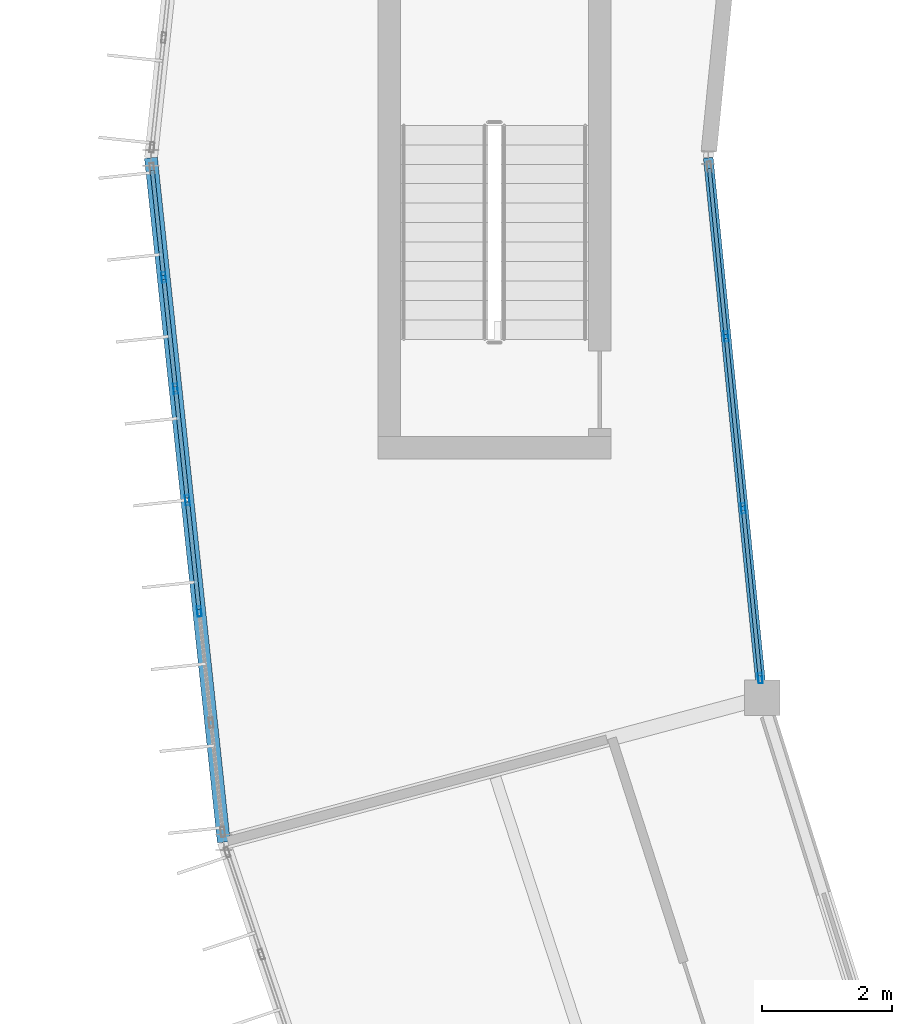
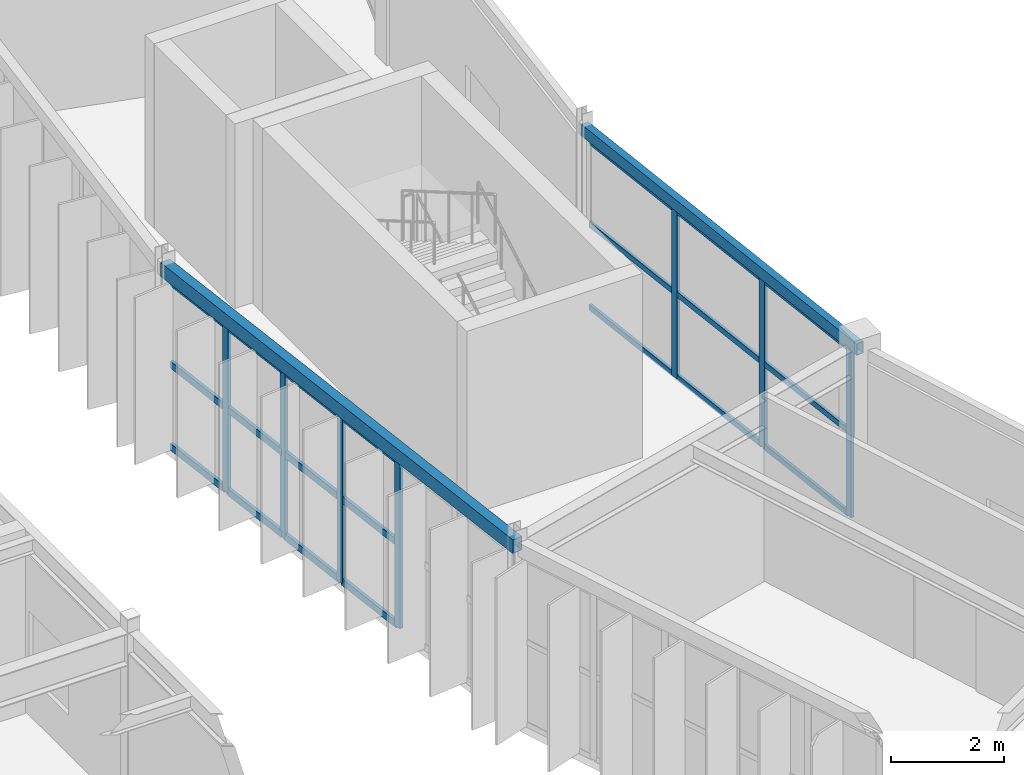
# One storey, part 38 of 130: 28 members, 2 beams, 2 elements without a shape of their own.
"""IFC4 building model written with IfcOpenShell, lengths in metres."""

from ifc_helpers import new_model, si_unit, direction, frame, origin, origin_2d, place, context, subcontext, project, spatial, hollow_rectangle, extrude, material, material_profile, profile_set, type_object, element, aggregate, save


model = new_model("IFC4")

# Units and contexts
model_context = context("Model", 3, precision=1e-05, world=origin(), true_north=direction((0.0, 1.0)))
body_context = subcontext(model_context, "Body", "Model", "MODEL_VIEW")
ifc_project = project(units=[si_unit("LENGTHUNIT", "METRE"), si_unit("AREAUNIT", "SQUARE_METRE"), si_unit("VOLUMEUNIT", "CUBIC_METRE"), si_unit("PLANEANGLEUNIT", "RADIAN"), si_unit("MASSUNIT", "GRAM", prefix="KILO")], contexts=[model_context])

# Site, building, storey
site_placement = place(None, origin())
site = spatial("IfcSite", under=ifc_project, at=site_placement, CompositionType="ELEMENT")
building_placement = place(site_placement, origin())
building = spatial("IfcBuilding", under=site, at=building_placement, Name="Karori Crest Natural Sciences Institute", CompositionType="ELEMENT")
storey_placement = place(building_placement, frame((0.0, 0.0, 17.5)))
storey = spatial("IfcBuildingStorey", under=building, at=storey_placement, Name="L04", CompositionType="ELEMENT", Elevation=17.5)

# Beams
ifc_material_1 = material(Name="Hollow structural steel AS/NZS 1163 Grade C350", Category="steel")
ifc_material_profile_1 = material_profile(ifc_material_1, hollow_rectangle(XDim=0.199951171875, YDim=0.300048828125, WallThickness=0.010009765625, at=origin_2d()), Name="RHS300x200x10")
ifc_profile_set_1 = profile_set([ifc_material_profile_1], Name="Hollow structural steel AS/NZS 1163 Grade C350")
beam_type_1 = type_object("IfcBeamType", Name="BT-15", PredefinedType="SPANDREL", material=ifc_profile_set_1)
beam_1_placement = place(storey_placement, frame((33.39990234375, 49.89990234375, 3.7900390625), z_axis=(0.105891010563, -0.994377742049, 0.0), x_axis=(0.994377742049, 0.105891010563, 0.0)))
element("IfcBeam", 1, at=beam_1_placement, inside=storey, type_object=beam_type_1, Name="Beam B-0496", PredefinedType="SPANDREL", context=body_context, shape_type="SweptSolid", body=[
    extrude(hollow_rectangle(XDim=0.199951171875, YDim=0.300048828125, WallThickness=0.010009765625, at=origin_2d()), origin(), (0.0, 0.0, 1.0), 10.61962890625),
])
ifc_material_profile_2 = material_profile(ifc_material_1, hollow_rectangle(XDim=0.14990234375, YDim=0.25, WallThickness=0.009033203125, at=origin_2d()), Name="RHS250x150x9")
ifc_profile_set_2 = profile_set([ifc_material_profile_2], Name="Hollow structural steel AS/NZS 1163 Grade C350")
beam_type_2 = type_object("IfcBeamType", Name="BT-16", PredefinedType="SPANDREL", material=ifc_profile_set_2)
beam_2_placement = place(storey_placement, frame((42.0, 49.89990234375, 3.7900390625), z_axis=(0.099255508608, -0.995061979985, 0.0), x_axis=(0.995061979985, 0.099255508608, 0.0)))
element("IfcBeam", 2, at=beam_2_placement, inside=storey, type_object=beam_type_2, Name="Beam B-0497", PredefinedType="SPANDREL", context=body_context, shape_type="SweptSolid", body=[
    extrude(hollow_rectangle(XDim=0.14990234375, YDim=0.25, WallThickness=0.009033203125, at=origin_2d()), origin(), (0.0, 0.0, 1.0), 8.375244140625),
])

# Curtain wall, members
ifc_material_2 = material(Name="Anodised architectural aluminium 6063-T6", Category="aluminium")
curtain_wall_type_1 = type_object("IfcCurtainWallType", Name="CWT-03", PredefinedType="NOTDEFINED", material=ifc_material_2)
curtain_wall_1_placement = place(storey_placement, origin())
curtain_wall_1 = element("IfcCurtainWall", 3, at=curtain_wall_1_placement, inside=storey, type_object=curtain_wall_type_1, Name="Curtain wall CW-0154", PredefinedType="NOTDEFINED")
ifc_material_profile_3 = material_profile(ifc_material_2, hollow_rectangle(XDim=0.06494140625, YDim=0.159912109375, WallThickness=0.00390625, at=origin_2d()), Name="CWM160x65x4")
ifc_profile_set_3 = profile_set([ifc_material_profile_3], Name="Anodised architectural aluminium 6063-T6")
member_type_1 = type_object("IfcMemberType", Name="CWM-01", PredefinedType="MULLION", material=ifc_profile_set_3)
member_1_placement = place(storey_placement, frame((34.145263671875, 42.90087890625, 0.0), z_axis=(0.0, 0.0, 1.0), x_axis=(-0.994378435661, -0.105884496939, 0.0)))
member_1 = element("IfcMember", 4, at=member_1_placement, type_object=member_type_1, Name="CW-0154 mullion 3", PredefinedType="MULLION", context=body_context, shape_type="SweptSolid", body=[
    extrude(hollow_rectangle(XDim=0.06494140625, YDim=0.159912109375, WallThickness=0.00390625, at=origin_2d()), origin(), (0.0, 0.0, 1.0), 3.625),
])
member_2_placement = place(storey_placement, frame((33.96240234375, 44.61865234375, 0.0), z_axis=(0.0, 0.0, 1.0), x_axis=(-0.994378435661, -0.105884496939, 0.0)))
member_2 = element("IfcMember", 5, at=member_2_placement, type_object=member_type_1, Name="CW-0154 mullion 4", PredefinedType="MULLION", context=body_context, shape_type="SweptSolid", body=[
    extrude(hollow_rectangle(XDim=0.06494140625, YDim=0.159912109375, WallThickness=0.00390625, at=origin_2d()), origin(), (0.0, 0.0, 1.0), 3.625),
])
member_3_placement = place(storey_placement, frame((33.779541015625, 46.33642578125, 0.0), z_axis=(0.0, 0.0, 1.0), x_axis=(-0.994378435661, -0.105884496939, 0.0)))
member_3 = element("IfcMember", 6, at=member_3_placement, type_object=member_type_1, Name="CW-0154 mullion 5", PredefinedType="MULLION", context=body_context, shape_type="SweptSolid", body=[
    extrude(hollow_rectangle(XDim=0.06494140625, YDim=0.159912109375, WallThickness=0.00390625, at=origin_2d()), origin(), (0.0, 0.0, 1.0), 3.625),
])
member_4_placement = place(storey_placement, frame((33.596435546875, 48.05419921875, 0.0), z_axis=(0.0, 0.0, 1.0), x_axis=(-0.994378435661, -0.105884496939, 0.0)))
member_4 = element("IfcMember", 7, at=member_4_placement, type_object=member_type_1, Name="CW-0154 mullion 6", PredefinedType="MULLION", context=body_context, shape_type="SweptSolid", body=[
    extrude(hollow_rectangle(XDim=0.06494140625, YDim=0.159912109375, WallThickness=0.00390625, at=origin_2d()), origin(), (0.0, 0.0, 1.0), 3.625),
])

curtain_wall_type_2 = type_object("IfcCurtainWallType", Name="CWT-13", PredefinedType="NOTDEFINED", material=ifc_material_2)
curtain_wall_2_placement = place(storey_placement, origin())
curtain_wall_2 = element("IfcCurtainWall", 8, at=curtain_wall_2_placement, inside=storey, type_object=curtain_wall_type_2, Name="Curtain wall CW-0155", PredefinedType="NOTDEFINED")
member_5_placement = place(storey_placement, frame((42.27490234375, 47.144287109375, 0.0), z_axis=(0.0, 0.0, 1.0), x_axis=(0.995060684604, 0.099268494275, 0.0)))
member_5 = element("IfcMember", 9, at=member_5_placement, type_object=member_type_1, Name="CW-0155 mullion 2", PredefinedType="MULLION", context=body_context, shape_type="SweptSolid", body=[
    extrude(hollow_rectangle(XDim=0.06494140625, YDim=0.159912109375, WallThickness=0.00390625, at=origin_2d()), origin(), (0.0, 0.0, 1.0), 3.64990234375),
])
member_6_placement = place(storey_placement, frame((42.53955078125, 44.49169921875, 0.0), z_axis=(0.0, 0.0, 1.0), x_axis=(0.995060684604, 0.099268494275, 0.0)))
member_6 = element("IfcMember", 10, at=member_6_placement, type_object=member_type_1, Name="CW-0155 mullion 3", PredefinedType="MULLION", context=body_context, shape_type="SweptSolid", body=[
    extrude(hollow_rectangle(XDim=0.06494140625, YDim=0.159912109375, WallThickness=0.00390625, at=origin_2d()), origin(), (0.0, 0.0, 1.0), 3.64990234375),
])
member_7_placement = place(storey_placement, frame((42.801025390625, 41.871337890625, 0.0), z_axis=(0.0, 0.0, 1.0), x_axis=(0.995060684604, 0.099268494275, 0.0)))
member_7 = element("IfcMember", 11, at=member_7_placement, type_object=member_type_1, Name="CW-0155 mullion 4", PredefinedType="MULLION", context=body_context, shape_type="SweptSolid", body=[
    extrude(hollow_rectangle(XDim=0.06494140625, YDim=0.159912109375, WallThickness=0.00390625, at=origin_2d()), origin(), (0.0, 0.0, 1.0), 3.64990234375),
])
ifc_material_profile_4 = material_profile(ifc_material_2, hollow_rectangle(XDim=0.06005859375, YDim=0.1201171875, WallThickness=0.00390625, at=origin_2d()), Name="CWT120x60x4")
ifc_profile_set_4 = profile_set([ifc_material_profile_4], Name="Anodised architectural aluminium 6063-T6")
member_type_2 = type_object("IfcMemberType", Name="CWT-TR1", PredefinedType="USERDEFINED", material=ifc_profile_set_4)
member_8_placement = place(storey_placement, frame((42.016845703125, 49.732421875, 0.030029296875), z_axis=(0.099240189366, -0.99506350793, 0.0), x_axis=(0.99506350793, 0.099240189366, 0.0)))
member_8 = element("IfcMember", 12, at=member_8_placement, type_object=member_type_2, Name="CW-0155 transom 1.1", ObjectType="TRANSOM", PredefinedType="USERDEFINED", context=body_context, shape_type="SweptSolid", body=[
    extrude(hollow_rectangle(XDim=0.06005859375, YDim=0.1201171875, WallThickness=0.00390625, at=origin_2d()), origin(), (0.0, 0.0, 1.0), 2.568359375),
])
member_9_placement = place(storey_placement, frame((42.016845703125, 49.732421875, 1.824951171875), z_axis=(0.099240189366, -0.99506350793, 0.0), x_axis=(0.99506350793, 0.099240189366, 0.0)))
member_9 = element("IfcMember", 13, at=member_9_placement, type_object=member_type_2, Name="CW-0155 transom 1.2", ObjectType="TRANSOM", PredefinedType="USERDEFINED", context=body_context, shape_type="SweptSolid", body=[
    extrude(hollow_rectangle(XDim=0.06005859375, YDim=0.1201171875, WallThickness=0.00390625, at=origin_2d()), origin(), (0.0, 0.0, 1.0), 2.568359375),
])
member_10_placement = place(storey_placement, frame((42.016845703125, 49.732421875, 3.6201171875), z_axis=(0.099240189366, -0.99506350793, 0.0), x_axis=(0.99506350793, 0.099240189366, 0.0)))
member_10 = element("IfcMember", 14, at=member_10_placement, type_object=member_type_2, Name="CW-0155 transom 1.3", ObjectType="TRANSOM", PredefinedType="USERDEFINED", context=body_context, shape_type="SweptSolid", body=[
    extrude(hollow_rectangle(XDim=0.06005859375, YDim=0.1201171875, WallThickness=0.00390625, at=origin_2d()), origin(), (0.0, 0.0, 1.0), 2.568359375),
])
member_11_placement = place(storey_placement, frame((42.278076171875, 47.112060546875, 0.030029296875), z_axis=(0.099308553467, -0.995056687435, 0.0), x_axis=(0.995056687435, 0.099308553467, 0.0)))
member_11 = element("IfcMember", 15, at=member_11_placement, type_object=member_type_2, Name="CW-0155 transom 2.1", ObjectType="TRANSOM", PredefinedType="USERDEFINED", context=body_context, shape_type="SweptSolid", body=[
    extrude(hollow_rectangle(XDim=0.06005859375, YDim=0.1201171875, WallThickness=0.00390625, at=origin_2d()), origin(), (0.0, 0.0, 1.0), 2.60107421875),
])
member_12_placement = place(storey_placement, frame((42.278076171875, 47.112060546875, 1.824951171875), z_axis=(0.099308553467, -0.995056687435, 0.0), x_axis=(0.995056687435, 0.099308553467, 0.0)))
member_12 = element("IfcMember", 16, at=member_12_placement, type_object=member_type_2, Name="CW-0155 transom 2.2", ObjectType="TRANSOM", PredefinedType="USERDEFINED", context=body_context, shape_type="SweptSolid", body=[
    extrude(hollow_rectangle(XDim=0.06005859375, YDim=0.1201171875, WallThickness=0.00390625, at=origin_2d()), origin(), (0.0, 0.0, 1.0), 2.60107421875),
])
member_13_placement = place(storey_placement, frame((42.278076171875, 47.112060546875, 3.6201171875), z_axis=(0.099308553467, -0.995056687435, 0.0), x_axis=(0.995056687435, 0.099308553467, 0.0)))
member_13 = element("IfcMember", 17, at=member_13_placement, type_object=member_type_2, Name="CW-0155 transom 2.3", ObjectType="TRANSOM", PredefinedType="USERDEFINED", context=body_context, shape_type="SweptSolid", body=[
    extrude(hollow_rectangle(XDim=0.06005859375, YDim=0.1201171875, WallThickness=0.00390625, at=origin_2d()), origin(), (0.0, 0.0, 1.0), 2.60107421875),
])
member_14_placement = place(storey_placement, frame((42.542724609375, 44.459228515625, 0.030029296875), z_axis=(0.0993343095, -0.995054116597, 0.0), x_axis=(0.995054116597, 0.0993343095, 0.0)))
member_14 = element("IfcMember", 18, at=member_14_placement, type_object=member_type_2, Name="CW-0155 transom 3.1", ObjectType="TRANSOM", PredefinedType="USERDEFINED", context=body_context, shape_type="SweptSolid", body=[
    extrude(hollow_rectangle(XDim=0.06005859375, YDim=0.1201171875, WallThickness=0.00390625, at=origin_2d()), origin(), (0.0, 0.0, 1.0), 2.568359375),
])
member_15_placement = place(storey_placement, frame((42.542724609375, 44.459228515625, 1.824951171875), z_axis=(0.0993343095, -0.995054116597, 0.0), x_axis=(0.995054116597, 0.0993343095, 0.0)))
member_15 = element("IfcMember", 19, at=member_15_placement, type_object=member_type_2, Name="CW-0155 transom 3.2", ObjectType="TRANSOM", PredefinedType="USERDEFINED", context=body_context, shape_type="SweptSolid", body=[
    extrude(hollow_rectangle(XDim=0.06005859375, YDim=0.1201171875, WallThickness=0.00390625, at=origin_2d()), origin(), (0.0, 0.0, 1.0), 2.568359375),
])
member_16_placement = place(storey_placement, frame((42.542724609375, 44.459228515625, 3.6201171875), z_axis=(0.0993343095, -0.995054116597, 0.0), x_axis=(0.995054116597, 0.0993343095, 0.0)))
member_16 = element("IfcMember", 20, at=member_16_placement, type_object=member_type_2, Name="CW-0155 transom 3.3", ObjectType="TRANSOM", PredefinedType="USERDEFINED", context=body_context, shape_type="SweptSolid", body=[
    extrude(hollow_rectangle(XDim=0.06005859375, YDim=0.1201171875, WallThickness=0.00390625, at=origin_2d()), origin(), (0.0, 0.0, 1.0), 2.568359375),
])
aggregate(curtain_wall_2, [member_5, member_6, member_7, member_8, member_9, member_10, member_11, member_12, member_13, member_14, member_15, member_16])

# Member
ifc_material_profile_5 = material_profile(ifc_material_2, hollow_rectangle(XDim=0.06494140625, YDim=0.14990234375, WallThickness=0.00390625, at=origin_2d()), Name="CWT150x65x4")
ifc_profile_set_5 = profile_set([ifc_material_profile_5], Name="Anodised architectural aluminium 6063-T6")
member_type_3 = type_object("IfcMemberType", Name="CWT-TR2", PredefinedType="USERDEFINED", material=ifc_profile_set_5)
member_17_placement = place(storey_placement, frame((34.141845703125, 42.93310546875, 0.032470703125), z_axis=(-0.105884923842, 0.994378390203, 0.0), x_axis=(-0.994378390203, -0.105884923842, 0.0)))
member_17 = element("IfcMember", 21, at=member_17_placement, type_object=member_type_3, Name="CW-0154 transom 3.1", ObjectType="TRANSOM", PredefinedType="USERDEFINED", context=body_context, shape_type="SweptSolid", body=[
    extrude(hollow_rectangle(XDim=0.06494140625, YDim=0.14990234375, WallThickness=0.00390625, at=origin_2d()), origin(), (0.0, 0.0, 1.0), 1.662353515625),
])

member_18_placement = place(storey_placement, frame((34.141845703125, 42.93310546875, 1.8125), z_axis=(-0.105884923842, 0.994378390203, 0.0), x_axis=(-0.994378390203, -0.105884923842, 0.0)))
member_18 = element("IfcMember", 22, at=member_18_placement, type_object=member_type_3, Name="CW-0154 transom 3.2", ObjectType="TRANSOM", PredefinedType="USERDEFINED", context=body_context, shape_type="SweptSolid", body=[
    extrude(hollow_rectangle(XDim=0.06494140625, YDim=0.14990234375, WallThickness=0.00390625, at=origin_2d()), origin(), (0.0, 0.0, 1.0), 1.662353515625),
])

member_19_placement = place(storey_placement, frame((34.141845703125, 42.93310546875, 3.592529296875), z_axis=(-0.105884923842, 0.994378390203, 0.0), x_axis=(-0.994378390203, -0.105884923842, 0.0)))
member_19 = element("IfcMember", 23, at=member_19_placement, type_object=member_type_3, Name="CW-0154 transom 3.3", ObjectType="TRANSOM", PredefinedType="USERDEFINED", context=body_context, shape_type="SweptSolid", body=[
    extrude(hollow_rectangle(XDim=0.06494140625, YDim=0.14990234375, WallThickness=0.00390625, at=origin_2d()), origin(), (0.0, 0.0, 1.0), 1.662353515625),
])

member_20_placement = place(storey_placement, frame((33.958984375, 44.65087890625, 0.032470703125), z_axis=(-0.105869463411, 0.994380036363, 0.0), x_axis=(-0.994380036363, -0.105869463411, 0.0)))
member_20 = element("IfcMember", 24, at=member_20_placement, type_object=member_type_3, Name="CW-0154 transom 4.1", ObjectType="TRANSOM", PredefinedType="USERDEFINED", context=body_context, shape_type="SweptSolid", body=[
    extrude(hollow_rectangle(XDim=0.06494140625, YDim=0.14990234375, WallThickness=0.00390625, at=origin_2d()), origin(), (0.0, 0.0, 1.0), 1.66259765625),
])

member_21_placement = place(storey_placement, frame((33.958984375, 44.65087890625, 1.8125), z_axis=(-0.105869463411, 0.994380036363, 0.0), x_axis=(-0.994380036363, -0.105869463411, 0.0)))
member_21 = element("IfcMember", 25, at=member_21_placement, type_object=member_type_3, Name="CW-0154 transom 4.2", ObjectType="TRANSOM", PredefinedType="USERDEFINED", context=body_context, shape_type="SweptSolid", body=[
    extrude(hollow_rectangle(XDim=0.06494140625, YDim=0.14990234375, WallThickness=0.00390625, at=origin_2d()), origin(), (0.0, 0.0, 1.0), 1.66259765625),
])

member_22_placement = place(storey_placement, frame((33.958984375, 44.65087890625, 3.592529296875), z_axis=(-0.105869463411, 0.994380036363, 0.0), x_axis=(-0.994380036363, -0.105869463411, 0.0)))
member_22 = element("IfcMember", 26, at=member_22_placement, type_object=member_type_3, Name="CW-0154 transom 4.3", ObjectType="TRANSOM", PredefinedType="USERDEFINED", context=body_context, shape_type="SweptSolid", body=[
    extrude(hollow_rectangle(XDim=0.06494140625, YDim=0.14990234375, WallThickness=0.00390625, at=origin_2d()), origin(), (0.0, 0.0, 1.0), 1.66259765625),
])

member_23_placement = place(storey_placement, frame((33.77587890625, 46.36865234375, 0.032470703125), z_axis=(-0.105869463411, 0.994380036363, 0.0), x_axis=(-0.994380036363, -0.105869463411, 0.0)))
member_23 = element("IfcMember", 27, at=member_23_placement, type_object=member_type_3, Name="CW-0154 transom 5.1", ObjectType="TRANSOM", PredefinedType="USERDEFINED", context=body_context, shape_type="SweptSolid", body=[
    extrude(hollow_rectangle(XDim=0.06494140625, YDim=0.14990234375, WallThickness=0.00390625, at=origin_2d()), origin(), (0.0, 0.0, 1.0), 1.66259765625),
])

member_24_placement = place(storey_placement, frame((33.77587890625, 46.36865234375, 1.8125), z_axis=(-0.105869463411, 0.994380036363, 0.0), x_axis=(-0.994380036363, -0.105869463411, 0.0)))
member_24 = element("IfcMember", 28, at=member_24_placement, type_object=member_type_3, Name="CW-0154 transom 5.2", ObjectType="TRANSOM", PredefinedType="USERDEFINED", context=body_context, shape_type="SweptSolid", body=[
    extrude(hollow_rectangle(XDim=0.06494140625, YDim=0.14990234375, WallThickness=0.00390625, at=origin_2d()), origin(), (0.0, 0.0, 1.0), 1.66259765625),
])

member_25_placement = place(storey_placement, frame((33.77587890625, 46.36865234375, 3.592529296875), z_axis=(-0.105869463411, 0.994380036363, 0.0), x_axis=(-0.994380036363, -0.105869463411, 0.0)))
member_25 = element("IfcMember", 29, at=member_25_placement, type_object=member_type_3, Name="CW-0154 transom 5.3", ObjectType="TRANSOM", PredefinedType="USERDEFINED", context=body_context, shape_type="SweptSolid", body=[
    extrude(hollow_rectangle(XDim=0.06494140625, YDim=0.14990234375, WallThickness=0.00390625, at=origin_2d()), origin(), (0.0, 0.0, 1.0), 1.66259765625),
])

member_26_placement = place(storey_placement, frame((33.593017578125, 48.08642578125, 0.032470703125), z_axis=(-0.105893191658, 0.994377509782, 0.0), x_axis=(-0.994377509782, -0.105893191658, 0.0)))
member_26 = element("IfcMember", 30, at=member_26_placement, type_object=member_type_3, Name="CW-0154 transom 6.1", ObjectType="TRANSOM", PredefinedType="USERDEFINED", context=body_context, shape_type="SweptSolid", body=[
    extrude(hollow_rectangle(XDim=0.06494140625, YDim=0.14990234375, WallThickness=0.00390625, at=origin_2d()), origin(), (0.0, 0.0, 1.0), 1.630126953125),
])

member_27_placement = place(storey_placement, frame((33.593017578125, 48.08642578125, 1.8125), z_axis=(-0.105893191658, 0.994377509782, 0.0), x_axis=(-0.994377509782, -0.105893191658, 0.0)))
member_27 = element("IfcMember", 31, at=member_27_placement, type_object=member_type_3, Name="CW-0154 transom 6.2", ObjectType="TRANSOM", PredefinedType="USERDEFINED", context=body_context, shape_type="SweptSolid", body=[
    extrude(hollow_rectangle(XDim=0.06494140625, YDim=0.14990234375, WallThickness=0.00390625, at=origin_2d()), origin(), (0.0, 0.0, 1.0), 1.630126953125),
])

member_28_placement = place(storey_placement, frame((33.593017578125, 48.08642578125, 3.592529296875), z_axis=(-0.105893191658, 0.994377509782, 0.0), x_axis=(-0.994377509782, -0.105893191658, 0.0)))
member_28 = element("IfcMember", 32, at=member_28_placement, type_object=member_type_3, Name="CW-0154 transom 6.3", ObjectType="TRANSOM", PredefinedType="USERDEFINED", context=body_context, shape_type="SweptSolid", body=[
    extrude(hollow_rectangle(XDim=0.06494140625, YDim=0.14990234375, WallThickness=0.00390625, at=origin_2d()), origin(), (0.0, 0.0, 1.0), 1.630126953125),
])

aggregate(curtain_wall_1, [member_1, member_2, member_3, member_4, member_17, member_18, member_19, member_20, member_21, member_22, member_23, member_24, member_25, member_26, member_27, member_28])

save(model, "model.ifc")
